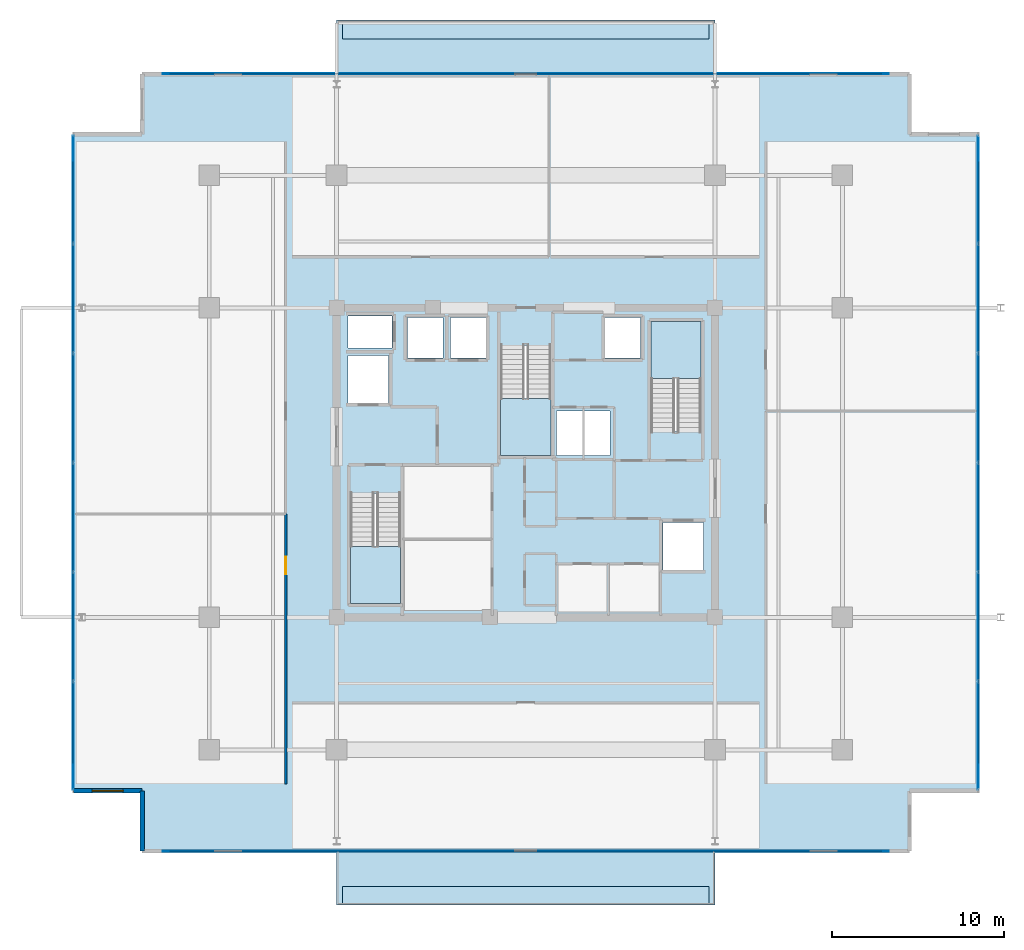
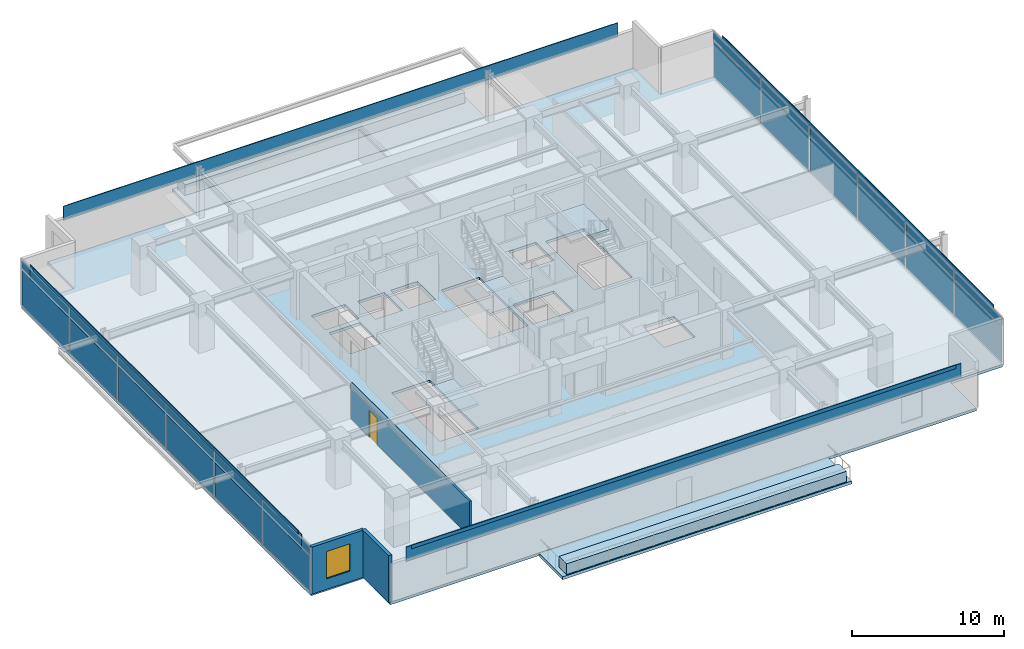
# One storey, part 14 of 23: 32 plates, 8 slabs, 3 walls, 1 door, 1 window, 2 openings, 5 elements without a shape of their own.
"""IFC4 building model written with IfcOpenShell, lengths in metres."""

from ifc_helpers import new_model, si_unit, direction, frame, frame_2d, origin, origin_2d, place, context, subcontext, project, spatial, polyline, rectangle, outline, extrude, material, layer, layer_set, type_object, element, fill, aggregate, save


model = new_model("IFC4")

# Units and contexts
model_context = context("Model", 3, precision=1e-05, world=origin(), true_north=direction((0.0, 1.0)))
body_context = subcontext(model_context, "Body", "Model", "MODEL_VIEW")
ifc_project = project(units=[si_unit("LENGTHUNIT", "METRE"), si_unit("AREAUNIT", "SQUARE_METRE"), si_unit("VOLUMEUNIT", "CUBIC_METRE"), si_unit("PLANEANGLEUNIT", "RADIAN"), si_unit("MASSUNIT", "GRAM", prefix="KILO")], contexts=[model_context])

# Site, building, storey
site_placement = place(None, origin())
site = spatial("IfcSite", under=ifc_project, at=site_placement, CompositionType="ELEMENT")
building_placement = place(site_placement, origin())
building = spatial("IfcBuilding", under=site, at=building_placement, Name="Kovane Verandah Tower", CompositionType="ELEMENT")
storey_placement = place(building_placement, frame((0.0, 0.0, 243.199951171875)))
storey = spatial("IfcBuildingStorey", under=building, at=storey_placement, Name="L56", CompositionType="ELEMENT", Elevation=243.199951171875)

# Curtain wall, plates
ifc_material_1 = material(Name="Champagne Anodised Aluminium Frame with Low-E Clear Laminated Glass", Category="aluminium")
curtain_wall_type = type_object("IfcCurtainWallType", Name="CW-SYS-05-HIGH", PredefinedType="NOTDEFINED", material=ifc_material_1)
curtain_wall_1_placement = place(storey_placement, origin())
curtain_wall_1 = element("IfcCurtainWall", 1, at=curtain_wall_1_placement, inside=storey, type_object=curtain_wall_type, Name="L56 E Unitised Curtain Wall", PredefinedType="NOTDEFINED")
ifc_material_2 = material(Name="Pale Champagne Anodised Aluminium Insulated Spandrel", Category="aluminium")
ifc_layer_1 = layer(ifc_material_2, 0.0400390625)
ifc_layer_set_1 = layer_set([ifc_layer_1], Name="Pale Champagne Anodised Aluminium Insulated Spandrel")
plate_type_1 = type_object("IfcPlateType", Name="PL-CW-SPD-40", PredefinedType="SHEET", material=ifc_layer_set_1)
plate_1_placement = place(storey_placement, frame((66.3076171875, 11.60009765625, 3.05517578125), z_axis=(0.0, 0.0, 1.0), x_axis=(0.0, 1.0, 0.0)))
plate_1 = element("IfcPlate", 2, at=plate_1_placement, type_object=plate_type_1, Name="L56 E Unitised Curtain Wall Spandrel Panel 1", PredefinedType="SHEET", context=body_context, shape_type="SweptSolid", body=[
    extrude(rectangle(XDim=6.219970703125, YDim=0.0400390625, at=origin_2d()), origin(), (0.0, 0.0, 1.0), 0.639892578125),
])
plate_2_placement = place(storey_placement, frame((66.3076171875, 17.9599609375, 3.05517578125), z_axis=(0.0, 0.0, 1.0), x_axis=(0.0, 1.0, 0.0)))
plate_2 = element("IfcPlate", 3, at=plate_2_placement, type_object=plate_type_1, Name="L56 E Unitised Curtain Wall Spandrel Panel 2", PredefinedType="SHEET", context=body_context, shape_type="SweptSolid", body=[
    extrude(rectangle(XDim=6.219970703125, YDim=0.0400390625, at=origin_2d()), origin(), (0.0, 0.0, 1.0), 0.639892578125),
])
plate_3_placement = place(storey_placement, frame((66.3076171875, 24.320068359375, 3.05517578125), z_axis=(0.0, 0.0, 1.0), x_axis=(0.0, 1.0, 0.0)))
plate_3 = element("IfcPlate", 4, at=plate_3_placement, type_object=plate_type_1, Name="L56 E Unitised Curtain Wall Spandrel Panel 3", PredefinedType="SHEET", context=body_context, shape_type="SweptSolid", body=[
    extrude(rectangle(XDim=6.219970703125, YDim=0.0400390625, at=origin_2d()), origin(), (0.0, 0.0, 1.0), 0.639892578125),
])
plate_4_placement = place(storey_placement, frame((66.3076171875, 30.679931640625, 3.05517578125), z_axis=(0.0, 0.0, 1.0), x_axis=(0.0, 1.0, 0.0)))
plate_4 = element("IfcPlate", 5, at=plate_4_placement, type_object=plate_type_1, Name="L56 E Unitised Curtain Wall Spandrel Panel 4", PredefinedType="SHEET", context=body_context, shape_type="SweptSolid", body=[
    extrude(rectangle(XDim=6.219970703125, YDim=0.0400390625, at=origin_2d()), origin(), (0.0, 0.0, 1.0), 0.639892578125),
])
plate_5_placement = place(storey_placement, frame((66.3076171875, 37.0400390625, 3.05517578125), z_axis=(0.0, 0.0, 1.0), x_axis=(0.0, 1.0, 0.0)))
plate_5 = element("IfcPlate", 6, at=plate_5_placement, type_object=plate_type_1, Name="L56 E Unitised Curtain Wall Spandrel Panel 5", PredefinedType="SHEET", context=body_context, shape_type="SweptSolid", body=[
    extrude(rectangle(XDim=6.219970703125, YDim=0.0400390625, at=origin_2d()), origin(), (0.0, 0.0, 1.0), 0.639892578125),
])
plate_6_placement = place(storey_placement, frame((66.3076171875, 43.39990234375, 3.05517578125), z_axis=(0.0, 0.0, 1.0), x_axis=(0.0, 1.0, 0.0)))
plate_6 = element("IfcPlate", 7, at=plate_6_placement, type_object=plate_type_1, Name="L56 E Unitised Curtain Wall Spandrel Panel 6", PredefinedType="SHEET", context=body_context, shape_type="SweptSolid", body=[
    extrude(rectangle(XDim=6.219970703125, YDim=0.0400390625, at=origin_2d()), origin(), (0.0, 0.0, 1.0), 0.639892578125),
])

curtain_wall_2_placement = place(storey_placement, origin())
curtain_wall_2 = element("IfcCurtainWall", 8, at=curtain_wall_2_placement, inside=storey, type_object=curtain_wall_type, Name="L56 W Unitised Curtain Wall", PredefinedType="NOTDEFINED")
plate_7_placement = place(storey_placement, frame((13.6923828125, 43.39990234375, 3.05517578125), z_axis=(0.0, 0.0, 1.0), x_axis=(0.0, -1.0, 0.0)))
plate_7 = element("IfcPlate", 9, at=plate_7_placement, type_object=plate_type_1, Name="L56 W Unitised Curtain Wall Spandrel Panel 1", PredefinedType="SHEET", context=body_context, shape_type="SweptSolid", body=[
    extrude(rectangle(XDim=6.219970703125, YDim=0.0400390625, at=origin_2d()), origin(), (0.0, 0.0, 1.0), 0.639892578125),
])
plate_8_placement = place(storey_placement, frame((13.6923828125, 37.0400390625, 3.05517578125), z_axis=(0.0, 0.0, 1.0), x_axis=(0.0, -1.0, 0.0)))
plate_8 = element("IfcPlate", 10, at=plate_8_placement, type_object=plate_type_1, Name="L56 W Unitised Curtain Wall Spandrel Panel 2", PredefinedType="SHEET", context=body_context, shape_type="SweptSolid", body=[
    extrude(rectangle(XDim=6.219970703125, YDim=0.0400390625, at=origin_2d()), origin(), (0.0, 0.0, 1.0), 0.639892578125),
])
plate_9_placement = place(storey_placement, frame((13.6923828125, 30.679931640625, 3.05517578125), z_axis=(0.0, 0.0, 1.0), x_axis=(0.0, -1.0, 0.0)))
plate_9 = element("IfcPlate", 11, at=plate_9_placement, type_object=plate_type_1, Name="L56 W Unitised Curtain Wall Spandrel Panel 3", PredefinedType="SHEET", context=body_context, shape_type="SweptSolid", body=[
    extrude(rectangle(XDim=6.219970703125, YDim=0.0400390625, at=origin_2d()), origin(), (0.0, 0.0, 1.0), 0.639892578125),
])
plate_10_placement = place(storey_placement, frame((13.6923828125, 24.320068359375, 3.05517578125), z_axis=(0.0, 0.0, 1.0), x_axis=(0.0, -1.0, 0.0)))
plate_10 = element("IfcPlate", 12, at=plate_10_placement, type_object=plate_type_1, Name="L56 W Unitised Curtain Wall Spandrel Panel 4", PredefinedType="SHEET", context=body_context, shape_type="SweptSolid", body=[
    extrude(rectangle(XDim=6.219970703125, YDim=0.0400390625, at=origin_2d()), origin(), (0.0, 0.0, 1.0), 0.639892578125),
])
plate_11_placement = place(storey_placement, frame((13.6923828125, 17.9599609375, 3.05517578125), z_axis=(0.0, 0.0, 1.0), x_axis=(0.0, -1.0, 0.0)))
plate_11 = element("IfcPlate", 13, at=plate_11_placement, type_object=plate_type_1, Name="L56 W Unitised Curtain Wall Spandrel Panel 5", PredefinedType="SHEET", context=body_context, shape_type="SweptSolid", body=[
    extrude(rectangle(XDim=6.219970703125, YDim=0.0400390625, at=origin_2d()), origin(), (0.0, 0.0, 1.0), 0.639892578125),
])
plate_12_placement = place(storey_placement, frame((13.6923828125, 11.60009765625, 3.05517578125), z_axis=(0.0, 0.0, 1.0), x_axis=(0.0, -1.0, 0.0)))
plate_12 = element("IfcPlate", 14, at=plate_12_placement, type_object=plate_type_1, Name="L56 W Unitised Curtain Wall Spandrel Panel 6", PredefinedType="SHEET", context=body_context, shape_type="SweptSolid", body=[
    extrude(rectangle(XDim=6.219970703125, YDim=0.0400390625, at=origin_2d()), origin(), (0.0, 0.0, 1.0), 0.639892578125),
])

# Plate
ifc_material_3 = material(Name="Clear Low-E Laminated Double Glazing", Category="glass")
ifc_layer_2 = layer(ifc_material_3, 0.031982421875)
ifc_layer_set_2 = layer_set([ifc_layer_2], Name="Clear Low-E Laminated Double Glazing")
plate_type_2 = type_object("IfcPlateType", Name="PL-CW-VIS-32", PredefinedType="CURTAIN_PANEL", material=ifc_layer_set_2)
plate_13_placement = place(storey_placement, frame((66.3076171875, 11.60009765625, 0.10009765625), z_axis=(0.0, 0.0, 1.0), x_axis=(0.0, 1.0, 0.0)))
plate_13 = element("IfcPlate", 15, at=plate_13_placement, type_object=plate_type_2, Name="L56 E Unitised Curtain Wall Vision Panel 1", PredefinedType="CURTAIN_PANEL", context=body_context, shape_type="SweptSolid", body=[
    extrude(rectangle(XDim=6.219970703125, YDim=0.031982421875, at=origin_2d()), origin(), (0.0, 0.0, 1.0), 2.85498046875),
])

plate_14_placement = place(storey_placement, frame((66.3076171875, 17.9599609375, 0.10009765625), z_axis=(0.0, 0.0, 1.0), x_axis=(0.0, 1.0, 0.0)))
plate_14 = element("IfcPlate", 16, at=plate_14_placement, type_object=plate_type_2, Name="L56 E Unitised Curtain Wall Vision Panel 2", PredefinedType="CURTAIN_PANEL", context=body_context, shape_type="SweptSolid", body=[
    extrude(rectangle(XDim=6.219970703125, YDim=0.031982421875, at=origin_2d()), origin(), (0.0, 0.0, 1.0), 2.85498046875),
])

plate_15_placement = place(storey_placement, frame((66.3076171875, 24.320068359375, 0.10009765625), z_axis=(0.0, 0.0, 1.0), x_axis=(0.0, 1.0, 0.0)))
plate_15 = element("IfcPlate", 17, at=plate_15_placement, type_object=plate_type_2, Name="L56 E Unitised Curtain Wall Vision Panel 3", PredefinedType="CURTAIN_PANEL", context=body_context, shape_type="SweptSolid", body=[
    extrude(rectangle(XDim=6.219970703125, YDim=0.031982421875, at=origin_2d()), origin(), (0.0, 0.0, 1.0), 2.85498046875),
])

plate_16_placement = place(storey_placement, frame((66.3076171875, 30.679931640625, 0.10009765625), z_axis=(0.0, 0.0, 1.0), x_axis=(0.0, 1.0, 0.0)))
plate_16 = element("IfcPlate", 18, at=plate_16_placement, type_object=plate_type_2, Name="L56 E Unitised Curtain Wall Vision Panel 4", PredefinedType="CURTAIN_PANEL", context=body_context, shape_type="SweptSolid", body=[
    extrude(rectangle(XDim=6.219970703125, YDim=0.031982421875, at=origin_2d()), origin(), (0.0, 0.0, 1.0), 2.85498046875),
])

plate_17_placement = place(storey_placement, frame((66.3076171875, 37.0400390625, 0.10009765625), z_axis=(0.0, 0.0, 1.0), x_axis=(0.0, 1.0, 0.0)))
plate_17 = element("IfcPlate", 19, at=plate_17_placement, type_object=plate_type_2, Name="L56 E Unitised Curtain Wall Vision Panel 5", PredefinedType="CURTAIN_PANEL", context=body_context, shape_type="SweptSolid", body=[
    extrude(rectangle(XDim=6.219970703125, YDim=0.031982421875, at=origin_2d()), origin(), (0.0, 0.0, 1.0), 2.85498046875),
])

plate_18_placement = place(storey_placement, frame((66.3076171875, 43.39990234375, 0.10009765625), z_axis=(0.0, 0.0, 1.0), x_axis=(0.0, 1.0, 0.0)))
plate_18 = element("IfcPlate", 20, at=plate_18_placement, type_object=plate_type_2, Name="L56 E Unitised Curtain Wall Vision Panel 6", PredefinedType="CURTAIN_PANEL", context=body_context, shape_type="SweptSolid", body=[
    extrude(rectangle(XDim=6.219970703125, YDim=0.031982421875, at=origin_2d()), origin(), (0.0, 0.0, 1.0), 2.85498046875),
])

aggregate(curtain_wall_1, [plate_13, plate_1, plate_14, plate_2, plate_15, plate_3, plate_16, plate_4, plate_17, plate_5, plate_18, plate_6])

plate_19_placement = place(storey_placement, frame((13.6923828125, 43.39990234375, 0.10009765625), z_axis=(0.0, 0.0, 1.0), x_axis=(0.0, -1.0, 0.0)))
plate_19 = element("IfcPlate", 21, at=plate_19_placement, type_object=plate_type_2, Name="L56 W Unitised Curtain Wall Vision Panel 1", PredefinedType="CURTAIN_PANEL", context=body_context, shape_type="SweptSolid", body=[
    extrude(rectangle(XDim=6.219970703125, YDim=0.031982421875, at=origin_2d()), origin(), (0.0, 0.0, 1.0), 2.85498046875),
])

plate_20_placement = place(storey_placement, frame((13.6923828125, 37.0400390625, 0.10009765625), z_axis=(0.0, 0.0, 1.0), x_axis=(0.0, -1.0, 0.0)))
plate_20 = element("IfcPlate", 22, at=plate_20_placement, type_object=plate_type_2, Name="L56 W Unitised Curtain Wall Vision Panel 2", PredefinedType="CURTAIN_PANEL", context=body_context, shape_type="SweptSolid", body=[
    extrude(rectangle(XDim=6.219970703125, YDim=0.031982421875, at=origin_2d()), origin(), (0.0, 0.0, 1.0), 2.85498046875),
])

plate_21_placement = place(storey_placement, frame((13.6923828125, 30.679931640625, 0.10009765625), z_axis=(0.0, 0.0, 1.0), x_axis=(0.0, -1.0, 0.0)))
plate_21 = element("IfcPlate", 23, at=plate_21_placement, type_object=plate_type_2, Name="L56 W Unitised Curtain Wall Vision Panel 3", PredefinedType="CURTAIN_PANEL", context=body_context, shape_type="SweptSolid", body=[
    extrude(rectangle(XDim=6.219970703125, YDim=0.031982421875, at=origin_2d()), origin(), (0.0, 0.0, 1.0), 2.85498046875),
])

plate_22_placement = place(storey_placement, frame((13.6923828125, 24.320068359375, 0.10009765625), z_axis=(0.0, 0.0, 1.0), x_axis=(0.0, -1.0, 0.0)))
plate_22 = element("IfcPlate", 24, at=plate_22_placement, type_object=plate_type_2, Name="L56 W Unitised Curtain Wall Vision Panel 4", PredefinedType="CURTAIN_PANEL", context=body_context, shape_type="SweptSolid", body=[
    extrude(rectangle(XDim=6.219970703125, YDim=0.031982421875, at=origin_2d()), origin(), (0.0, 0.0, 1.0), 2.85498046875),
])

plate_23_placement = place(storey_placement, frame((13.6923828125, 17.9599609375, 0.10009765625), z_axis=(0.0, 0.0, 1.0), x_axis=(0.0, -1.0, 0.0)))
plate_23 = element("IfcPlate", 25, at=plate_23_placement, type_object=plate_type_2, Name="L56 W Unitised Curtain Wall Vision Panel 5", PredefinedType="CURTAIN_PANEL", context=body_context, shape_type="SweptSolid", body=[
    extrude(rectangle(XDim=6.219970703125, YDim=0.031982421875, at=origin_2d()), origin(), (0.0, 0.0, 1.0), 2.85498046875),
])

plate_24_placement = place(storey_placement, frame((13.6923828125, 11.60009765625, 0.10009765625), z_axis=(0.0, 0.0, 1.0), x_axis=(0.0, -1.0, 0.0)))
plate_24 = element("IfcPlate", 26, at=plate_24_placement, type_object=plate_type_2, Name="L56 W Unitised Curtain Wall Vision Panel 6", PredefinedType="CURTAIN_PANEL", context=body_context, shape_type="SweptSolid", body=[
    extrude(rectangle(XDim=6.219970703125, YDim=0.031982421875, at=origin_2d()), origin(), (0.0, 0.0, 1.0), 2.85498046875),
])

aggregate(curtain_wall_2, [plate_19, plate_7, plate_20, plate_8, plate_21, plate_9, plate_22, plate_10, plate_23, plate_11, plate_24, plate_12])

# Plates
ifc_material_4 = material(Name="Perforated Pale Champagne Anodised Aluminium Solar Screen", Category="aluminium")
ifc_layer_3 = layer(ifc_material_4, 0.050048828125)
ifc_layer_set_3 = layer_set([ifc_layer_3], Name="Perforated Pale Champagne Anodised Aluminium Solar Screen")
plate_type_3 = type_object("IfcPlateType", Name="PL-SCREEN-50", PredefinedType="USERDEFINED", material=ifc_layer_set_3)
plate_25_placement = place(storey_placement, frame((40.0, 4.905029296875, 2.885009765625), z_axis=(0.0, 0.0, 1.0), x_axis=(1.0, 0.0, 0.0)))
element("IfcPlate", 27, at=plate_25_placement, inside=storey, type_object=plate_type_3, Name="L56 S Perforated Champagne-Gold Solar Screen", ObjectType="SCREEN", PredefinedType="USERDEFINED", context=body_context, shape_type="SweptSolid", body=[
    extrude(rectangle(XDim=42.215087890625, YDim=0.050048828125, at=origin_2d()), origin(), (0.0, 0.0, 1.0), 1.14990234375),
])
plate_26_placement = place(storey_placement, frame((66.322509765625, 27.5, 2.885009765625), z_axis=(0.0, 0.0, 1.0), x_axis=(0.0, 1.0, 0.0)))
element("IfcPlate", 28, at=plate_26_placement, inside=storey, type_object=plate_type_3, Name="L56 E Perforated Champagne-Gold Solar Screen", ObjectType="SCREEN", PredefinedType="USERDEFINED", context=body_context, shape_type="SweptSolid", body=[
    extrude(rectangle(XDim=35.760009765625, YDim=0.050048828125, at=origin_2d()), origin(), (0.0, 0.0, 1.0), 1.14990234375),
])
plate_27_placement = place(storey_placement, frame((40.0, 50.094970703125, 2.885009765625), z_axis=(0.0, 0.0, 1.0), x_axis=(-1.0, 0.0, 0.0)))
element("IfcPlate", 29, at=plate_27_placement, inside=storey, type_object=plate_type_3, Name="L56 N Perforated Champagne-Gold Solar Screen", ObjectType="SCREEN", PredefinedType="USERDEFINED", context=body_context, shape_type="SweptSolid", body=[
    extrude(rectangle(XDim=42.215087890625, YDim=0.050048828125, at=origin_2d()), origin(), (0.0, 0.0, 1.0), 1.14990234375),
])
plate_28_placement = place(storey_placement, frame((13.677490234375, 27.5, 2.885009765625), z_axis=(0.0, 0.0, 1.0), x_axis=(0.0, -1.0, 0.0)))
element("IfcPlate", 30, at=plate_28_placement, inside=storey, type_object=plate_type_3, Name="L56 W Perforated Champagne-Gold Solar Screen", ObjectType="SCREEN", PredefinedType="USERDEFINED", context=body_context, shape_type="SweptSolid", body=[
    extrude(rectangle(XDim=35.760009765625, YDim=0.050048828125, at=origin_2d()), origin(), (0.0, 0.0, 1.0), 1.14990234375),
])
ifc_material_5 = material(Name="Extruded Pale-Bronze Aluminium Aerofoil Sunshade", Category="aluminium")
ifc_layer_4 = layer(ifc_material_5, 0.06005859375)
ifc_layer_set_4 = layer_set([ifc_layer_4], Name="Extruded Pale-Bronze Aluminium Aerofoil Sunshade")
plate_type_4 = type_object("IfcPlateType", Name="PL-SUNSHADE-60", PredefinedType="USERDEFINED", material=ifc_layer_set_4)
plate_29_placement = place(storey_placement, frame((40.0, 4.89990234375, 3.76513671875), z_axis=(0.0, 0.0, 1.0), x_axis=(1.0, 0.0, 0.0)))
element("IfcPlate", 31, at=plate_29_placement, inside=storey, type_object=plate_type_4, Name="L56 S Subtropical Aerofoil Sunshade", ObjectType="SUNSHADE", PredefinedType="USERDEFINED", context=body_context, shape_type="SweptSolid", body=[
    extrude(rectangle(XDim=41.4150390625, YDim=0.06005859375, at=origin_2d()), origin(), (0.0, 0.0, 1.0), 0.280029296875),
])
plate_30_placement = place(storey_placement, frame((66.32763671875, 27.5, 3.76513671875), z_axis=(0.0, 0.0, 1.0), x_axis=(0.0, 1.0, 0.0)))
element("IfcPlate", 32, at=plate_30_placement, inside=storey, type_object=plate_type_4, Name="L56 E Subtropical Aerofoil Sunshade", ObjectType="SUNSHADE", PredefinedType="USERDEFINED", context=body_context, shape_type="SweptSolid", body=[
    extrude(rectangle(XDim=34.9599609375, YDim=0.06005859375, at=origin_2d()), origin(), (0.0, 0.0, 1.0), 0.280029296875),
])
plate_31_placement = place(storey_placement, frame((40.0, 50.10009765625, 3.76513671875), z_axis=(0.0, 0.0, 1.0), x_axis=(-1.0, 0.0, 0.0)))
element("IfcPlate", 33, at=plate_31_placement, inside=storey, type_object=plate_type_4, Name="L56 N Subtropical Aerofoil Sunshade", ObjectType="SUNSHADE", PredefinedType="USERDEFINED", context=body_context, shape_type="SweptSolid", body=[
    extrude(rectangle(XDim=41.4150390625, YDim=0.06005859375, at=origin_2d()), origin(), (0.0, 0.0, 1.0), 0.280029296875),
])
plate_32_placement = place(storey_placement, frame((13.67236328125, 27.5, 3.76513671875), z_axis=(0.0, 0.0, 1.0), x_axis=(0.0, -1.0, 0.0)))
element("IfcPlate", 34, at=plate_32_placement, inside=storey, type_object=plate_type_4, Name="L56 W Subtropical Aerofoil Sunshade", ObjectType="SUNSHADE", PredefinedType="USERDEFINED", context=body_context, shape_type="SweptSolid", body=[
    extrude(rectangle(XDim=34.9599609375, YDim=0.06005859375, at=origin_2d()), origin(), (0.0, 0.0, 1.0), 0.280029296875),
])

# Slabs
ifc_material_6 = material(Name="Concrete C45/55", Category="concrete")
ifc_layer_5 = layer(ifc_material_6, 0.239990234375)
ifc_layer_set_5 = layer_set([ifc_layer_5], Name="Concrete C45/55")
slab_type_1 = type_object("IfcSlabType", Name="SL-BALC-240", PredefinedType="FLOOR", material=ifc_layer_set_5)
slab_1_placement = place(storey_placement, frame((0.0, 0.0, -0.239990234375)))
element("IfcSlab", 35, at=slab_1_placement, inside=storey, type_object=slab_type_1, Name="L56 N Planted Verandah Balcony Slab", PredefinedType="FLOOR", context=body_context, shape_type="SweptSolid", body=[
    extrude(outline(polyline([(29.0, 50.080078125), (51.0, 50.080078125), (51.0, 53.22998046875), (29.0, 53.22998046875), (29.0, 50.080078125)])), origin(), (0.0, 0.0, 1.0), 0.239990234375),
])
slab_2_placement = place(storey_placement, frame((0.0, 0.0, -0.239990234375)))
element("IfcSlab", 36, at=slab_2_placement, inside=storey, type_object=slab_type_1, Name="L56 S Planted Verandah Balcony Slab", PredefinedType="FLOOR", context=body_context, shape_type="SweptSolid", body=[
    extrude(outline(polyline([(29.0, 1.77001953125), (51.0, 1.77001953125), (51.0, 4.919921875), (29.0, 4.919921875), (29.0, 1.77001953125)])), origin(), (0.0, 0.0, 1.0), 0.239990234375),
])
ifc_layer_6 = layer(ifc_material_6, 0.215087890625)
ifc_layer_set_6 = layer_set([ifc_layer_6], Name="Concrete C45/55")
slab_type_2 = type_object("IfcSlabType", Name="SL-HIGH-215", PredefinedType="FLOOR", material=ifc_layer_set_6)
slab_3_placement = place(storey_placement, frame((0.0, 0.0, -0.21484375)))
element("IfcSlab", 37, at=slab_3_placement, inside=storey, type_object=slab_type_2, Name="L56 Structural Floor Slab", PredefinedType="FLOOR", context=body_context, shape_type="SweptSolid", body=[
    extrude(outline(polyline([(17.6923828125, 4.919921875), (62.3076171875, 4.919921875), (62.3076171875, 8.419921875), (66.3076171875, 8.419921875), (66.3076171875, 46.580078125), (62.3076171875, 46.580078125), (62.3076171875, 50.080078125), (17.6923828125, 50.080078125), (17.6923828125, 46.580078125), (13.6923828125, 46.580078125), (13.6923828125, 8.419921875), (17.6923828125, 8.419921875), (17.6923828125, 4.919921875)]), holes=[polyline([(29.800048828125, 19.300048828125), (32.719970703125, 19.300048828125), (32.719970703125, 25.705078125), (29.800048828125, 25.705078125), (29.800048828125, 19.300048828125)]), polyline([(47.280029296875, 29.294921875), (50.199951171875, 29.294921875), (50.199951171875, 35.699951171875), (47.280029296875, 35.699951171875), (47.280029296875, 29.294921875)]), polyline([(38.5400390625, 27.89990234375), (41.4599609375, 27.89990234375), (41.4599609375, 34.304931640625), (38.5400390625, 34.304931640625), (38.5400390625, 27.89990234375)]), polyline([(29.669921875, 30.969970703125), (32.030029296875, 30.969970703125), (32.030029296875, 33.72998046875), (29.669921875, 33.72998046875), (29.669921875, 30.969970703125)]), polyline([(47.969970703125, 21.27001953125), (50.330078125, 21.27001953125), (50.330078125, 24.030029296875), (47.969970703125, 24.030029296875), (47.969970703125, 21.27001953125)]), polyline([(29.669921875, 34.169921875), (32.22998046875, 34.169921875), (32.22998046875, 36.030029296875), (29.669921875, 36.030029296875), (29.669921875, 34.169921875)]), polyline([(33.1201171875, 33.570068359375), (35.179931640625, 33.570068359375), (35.179931640625, 35.929931640625), (33.1201171875, 35.929931640625), (33.1201171875, 33.570068359375)]), polyline([(35.6201171875, 33.570068359375), (37.679931640625, 33.570068359375), (37.679931640625, 35.929931640625), (35.6201171875, 35.929931640625), (35.6201171875, 33.570068359375)]), polyline([(44.6201171875, 33.570068359375), (46.679931640625, 33.570068359375), (46.679931640625, 35.929931640625), (44.6201171875, 35.929931640625), (44.6201171875, 33.570068359375)]), polyline([(41.800048828125, 27.89990234375), (44.89990234375, 27.89990234375), (44.89990234375, 30.5), (41.800048828125, 30.5), (41.800048828125, 27.89990234375)])]), origin(), (0.0, 0.0, 1.0), 0.21484375),
])

# Stair, slab
stair_type = type_object("IfcStairType", Name="ST-CORE-1380", PredefinedType="HALF_TURN_STAIR", material=ifc_material_6)
stair_1_placement = place(storey_placement, origin())
stair_1 = element("IfcStair", 38, at=stair_1_placement, inside=storey, type_object=stair_type, Name="L56 Exit Stair ST-01", PredefinedType="HALF_TURN_STAIR")
ifc_layer_7 = layer(ifc_material_6, 0.199951171875)
ifc_layer_set_7 = layer_set([ifc_layer_7], Name="Concrete C45/55")
slab_type_3 = type_object("IfcSlabType", Name="SL-LAND-200", PredefinedType="LANDING", material=ifc_layer_set_7)
slab_4_placement = place(storey_placement, frame((0.0, 0.0, 1.800048828125)))
slab_4 = element("IfcSlab", 39, at=slab_4_placement, type_object=slab_type_3, Name="ST-01 landing 1", PredefinedType="LANDING", context=body_context, shape_type="SweptSolid", body=[
    extrude(outline(polyline([(29.800048828125, 22.614990234375), (29.800048828125, 19.300048828125), (32.719970703125, 19.300048828125), (32.719970703125, 22.614990234375), (29.800048828125, 22.614990234375)])), origin(), (0.0, 0.0, 1.0), 0.199951171875),
])
aggregate(stair_1, [slab_4])

stair_2_placement = place(storey_placement, origin())
stair_2 = element("IfcStair", 40, at=stair_2_placement, inside=storey, type_object=stair_type, Name="L56 Exit Stair ST-02", PredefinedType="HALF_TURN_STAIR")
slab_5_placement = place(storey_placement, frame((0.0, 0.0, 1.800048828125)))
slab_5 = element("IfcSlab", 41, at=slab_5_placement, type_object=slab_type_3, Name="ST-02 landing 1", PredefinedType="LANDING", context=body_context, shape_type="SweptSolid", body=[
    extrude(outline(polyline([(50.199951171875, 32.385009765625), (50.199951171875, 35.699951171875), (47.280029296875, 35.699951171875), (47.280029296875, 32.385009765625), (50.199951171875, 32.385009765625)])), origin(), (0.0, 0.0, 1.0), 0.199951171875),
])
aggregate(stair_2, [slab_5])

stair_3_placement = place(storey_placement, origin())
stair_3 = element("IfcStair", 42, at=stair_3_placement, inside=storey, type_object=stair_type, Name="L56 Exit Stair ST-03", PredefinedType="HALF_TURN_STAIR")
slab_6_placement = place(storey_placement, frame((0.0, 0.0, 1.800048828125)))
slab_6 = element("IfcSlab", 43, at=slab_6_placement, type_object=slab_type_3, Name="ST-03 landing 1", PredefinedType="LANDING", context=body_context, shape_type="SweptSolid", body=[
    extrude(outline(polyline([(38.5400390625, 31.215087890625), (38.5400390625, 27.89990234375), (41.4599609375, 27.89990234375), (41.4599609375, 31.215087890625), (38.5400390625, 31.215087890625)])), origin(), (0.0, 0.0, 1.0), 0.199951171875),
])
aggregate(stair_3, [slab_6])

# Slabs
ifc_material_7 = material(Name="Architectural Precast Concrete C45/55 Planter Trough", Category="concrete")
ifc_layer_8 = layer(ifc_material_7, 0.219970703125)
ifc_layer_set_8 = layer_set([ifc_layer_8], Name="Architectural Precast Concrete C45/55 Planter Trough")
slab_type_4 = type_object("IfcSlabType", Name="SL-PLANTER-220", PredefinedType="USERDEFINED", material=ifc_layer_set_8)
slab_7_placement = place(storey_placement, origin())
element("IfcSlab", 44, at=slab_7_placement, inside=storey, type_object=slab_type_4, Name="L56 N Structural Tree Planter", ObjectType="PLANTER", PredefinedType="USERDEFINED", context=body_context, shape_type="SweptSolid", body=[
    extrude(outline(polyline([(29.35009765625, 52.1298828125), (50.64990234375, 52.1298828125), (50.64990234375, 53.1298828125), (29.35009765625, 53.1298828125), (29.35009765625, 52.1298828125)])), origin(), (0.0, 0.0, 1.0), 0.85009765625),
])
slab_8_placement = place(storey_placement, origin())
element("IfcSlab", 45, at=slab_8_placement, inside=storey, type_object=slab_type_4, Name="L56 S Structural Tree Planter", ObjectType="PLANTER", PredefinedType="USERDEFINED", context=body_context, shape_type="SweptSolid", body=[
    extrude(outline(polyline([(29.35009765625, 1.8701171875), (50.64990234375, 1.8701171875), (50.64990234375, 2.8701171875), (29.35009765625, 2.8701171875), (29.35009765625, 1.8701171875)])), origin(), (0.0, 0.0, 1.0), 0.85009765625),
])

# Wall, opening, door
ifc_material_8 = material(Name="Fire-Rated Gypsum Stud Partition", Category="gypsum")
ifc_layer_9 = layer(ifc_material_8, 0.14990234375)
ifc_layer_set_9 = layer_set([ifc_layer_9], Name="Fire-Rated Gypsum Stud Partition")
wall_type_1 = type_object("IfcWallType", Name="WL-COR-150", PredefinedType="PARTITIONING", material=ifc_layer_set_9)
wall_1_placement = place(storey_placement, frame((26.050048828125, 8.820068359375, 0.0), z_axis=(0.0, 0.0, 1.0), x_axis=(0.0, 1.0, 0.0)))
wall_1 = element("IfcWall", 46, at=wall_1_placement, inside=storey, type_object=wall_type_1, Name="L56 Collaboration Hub W1 Corridor Partition", PredefinedType="PARTITIONING", context=body_context, shape_type="SweptSolid", body=[
    extrude(rectangle(XDim=15.691162109375, YDim=0.14990234375, at=frame_2d((7.845703125, 0.0))), origin(), (0.0, 0.0, 1.0), 2.85009765625),
])
opening_1_placement = place(wall_1_placement, frame((12.20068359375, 0.0, 0.0)))
opening_1 = element("IfcOpeningElement", 47, at=opening_1_placement, cuts=wall_1, Name="Opening DR-L56-027", PredefinedType="OPENING", context=body_context, shape_type="SweptSolid", body=[
    extrude(rectangle(XDim=1.0, YDim=2.14990234375, at=frame_2d((0.5, 1.074951171875))), frame((0.0, 0.074951171875, 0.0), z_axis=(0.0, -1.0, 0.0), x_axis=(1.0, 0.0, 0.0)), (0.0, 0.0, 1.0), 0.14990234375),
])
ifc_material_9 = material(Name="FSC Spotted-Gum Timber Fire-Rated Office Door", Category="wood")
door_type = type_object("IfcDoorType", Name="DR-OFF-1000", OperationType="SINGLE_SWING_LEFT", PredefinedType="DOOR", material=ifc_material_9)
door_placement = place(opening_1_placement, origin())
door = element("IfcDoor", 48, at=door_placement, inside=storey, type_object=door_type, Name="L56 Collaboration Hub W1 Entrance Door", OperationType="SINGLE_SWING_LEFT", OverallHeight=2.14990234375, OverallWidth=1.0, PredefinedType="DOOR", context=body_context, shape_type="SweptSolid", body=[
    extrude(rectangle(XDim=1.0, YDim=2.14990234375, at=frame_2d((0.5, 1.074951171875))), frame((0.0, 0.02490234375, 0.0), z_axis=(0.0, -1.0, 0.0), x_axis=(1.0, 0.0, 0.0)), (0.0, 0.0, 1.0), 0.050048828125),
])
fill(opening_1, door)

# Wall, opening, window
ifc_material_10 = material(Name="Concrete C45/55 Insulated Spandrel Wall", Category="concrete")
ifc_layer_10 = layer(ifc_material_10, 0.260009765625)
ifc_layer_set_10 = layer_set([ifc_layer_10], Name="Concrete C45/55 Insulated Spandrel Wall")
wall_type_2 = type_object("IfcWallType", Name="WL-SPANDREL-260", PredefinedType="PARAPET", material=ifc_layer_set_10)
wall_2_placement = place(storey_placement, frame((13.6923828125, 8.419921875, 0.0), z_axis=(0.0, 0.0, 1.0), x_axis=(1.0, 0.0, 0.0)))
wall_2 = element("IfcWall", 49, at=wall_2_placement, inside=storey, type_object=wall_type_2, Name="L56 SW Notch Cheek Wall 1", PredefinedType="PARAPET", context=body_context, shape_type="SweptSolid", body=[
    extrude(rectangle(XDim=4.0, YDim=0.260009765625, at=frame_2d((2.0, 0.0))), origin(), (0.0, 0.0, 1.0), 3.78515625),
])
opening_2_placement = place(wall_2_placement, frame((1.10009765625, 0.0, 0.85009765625)))
opening_2 = element("IfcOpeningElement", 50, at=opening_2_placement, cuts=wall_2, Name="Opening W-03", PredefinedType="OPENING", context=body_context, shape_type="SweptSolid", body=[
    extrude(rectangle(XDim=1.800048828125, YDim=2.199951171875, at=frame_2d((0.89990234375, 1.10009765625))), frame((0.0, 0.1298828125, 0.0), z_axis=(0.0, -1.0, 0.0), x_axis=(1.0, 0.0, 0.0)), (0.0, 0.0, 1.0), 0.260009765625),
])
ifc_material_11 = material(Name="Clear Low-E Laminated Double Glazing in Anodised Frame", Category="glass")
window_type = type_object("IfcWindowType", Name="WN-NOTCH-1800x2200", PartitioningType="SINGLE_PANEL", PredefinedType="WINDOW", material=ifc_material_11)
window_placement = place(opening_2_placement, origin())
window = element("IfcWindow", 51, at=window_placement, inside=storey, type_object=window_type, Name="L56 SW Re-Entrant Corner Operable Window", OverallHeight=2.199951171875, OverallWidth=1.800048828125, PartitioningType="SINGLE_PANEL", PredefinedType="WINDOW", context=body_context, shape_type="SweptSolid", body=[
    extrude(rectangle(XDim=1.800048828125, YDim=2.199951171875, at=frame_2d((0.89990234375, 1.10009765625))), frame((0.0, 0.030029296875, 0.0), z_axis=(0.0, -1.0, 0.0), x_axis=(1.0, 0.0, 0.0)), (0.0, 0.0, 1.0), 0.06005859375),
])
fill(opening_2, window)

# Wall
wall_3_placement = place(storey_placement, frame((17.6923828125, 8.419921875, 0.0), z_axis=(0.0, 0.0, 1.0), x_axis=(0.0, -1.0, 0.0)))
element("IfcWall", 52, at=wall_3_placement, inside=storey, type_object=wall_type_2, Name="L56 SW Notch Cheek Wall 2", PredefinedType="PARAPET", context=body_context, shape_type="SweptSolid", body=[
    extrude(rectangle(XDim=3.5, YDim=0.260009765625, at=frame_2d((1.75, 0.0))), origin(), (0.0, 0.0, 1.0), 3.78515625),
])

save(model, "model.ifc")
